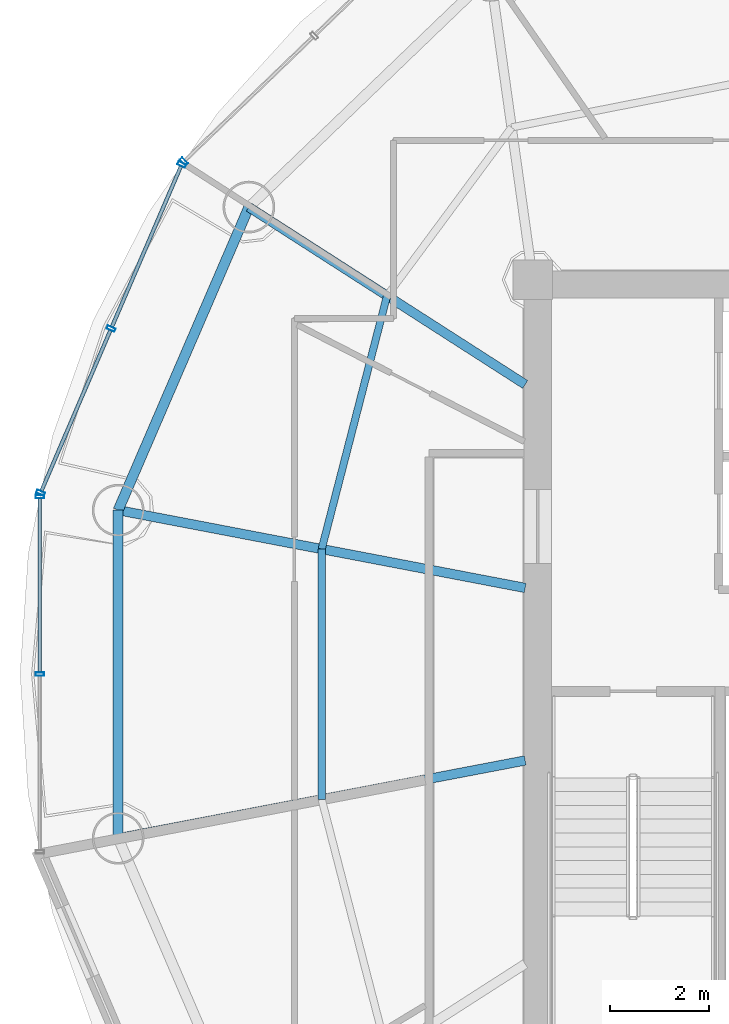
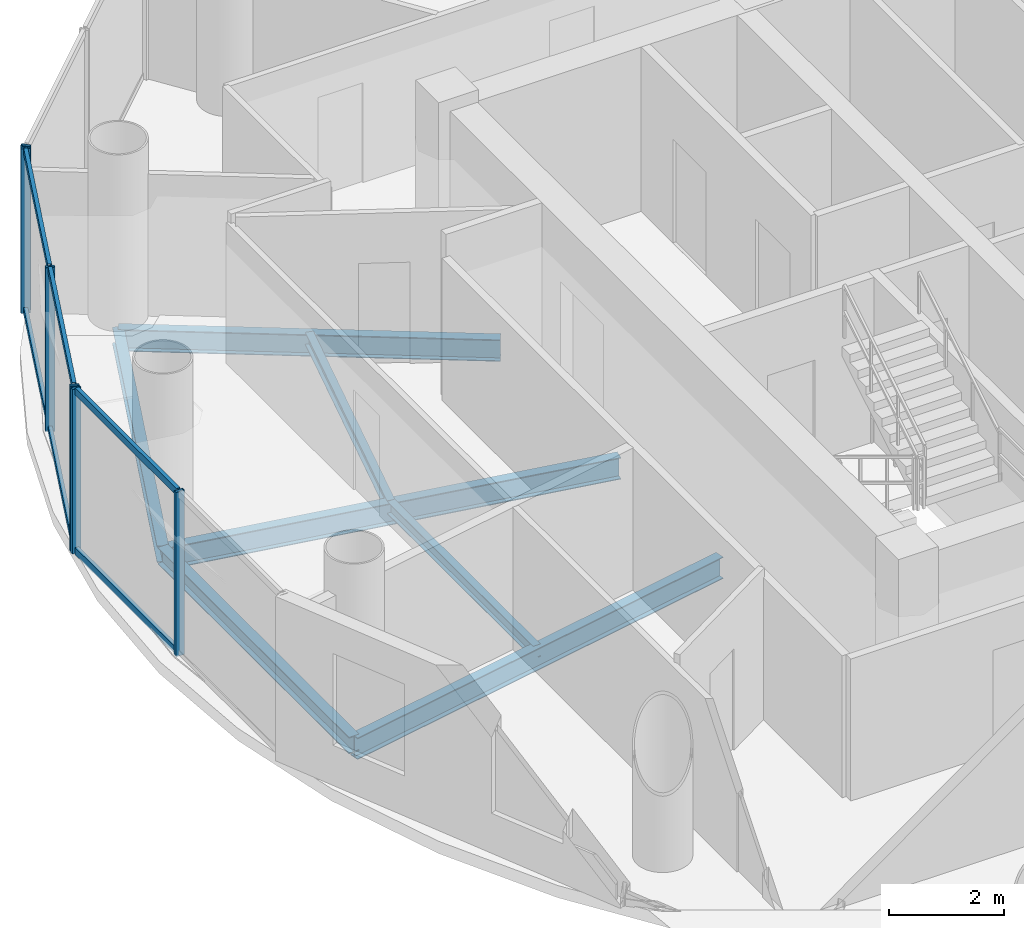
# One storey, part 8 of 23: 12 members, 7 beams, 3 elements without a shape of their own.
"""IFC4 building model written with IfcOpenShell, lengths in metres."""

import ifcopenshell
import ifcopenshell.guid

model = None  # the IFC model being written
_history = None  # IfcOwnerHistory: only IFC2X3 demands one
_inside = {}  # id of a spatial element -> (the spatial element, [elements in it])
_under = {}  # id of a project, library or spatial element -> (it, [spatial elements below it])
_declared = {}  # id of a project -> (the project, [libraries it declares])
_typed = {}  # id of a type object -> (the type object, [elements of that type])
_made_of = {}  # id of a material, layer set ... -> (it, [elements and type objects made of it])


def new_model(schema):
    """Start an empty IFC model of exactly this schema.

    Asked for "IFC4X3", IfcOpenShell would pick the latest addendum, in which some entities
    have other attributes; the version numbers below select the first issue.
    IFC2X3 requires an IfcOwnerHistory on every rooted entity: one is made here for all.
    """
    global model, _history
    if schema == "IFC4X3":
        model = ifcopenshell.file(schema_version=(4, 3, 0, 0))
    else:
        model = ifcopenshell.file(schema=schema)
    _inside.clear()
    _under.clear()
    _declared.clear()
    _typed.clear()
    _made_of.clear()
    _history = None
    if model.schema == "IFC2X3":
        org = make("IfcOrganization", Name="unknown")
        user = make(
            "IfcPersonAndOrganization",
            ThePerson=make("IfcPerson", FamilyName="unknown"),
            TheOrganization=org,
        )
        app = make(
            "IfcApplication",
            ApplicationDeveloper=org,
            Version="unknown",
            ApplicationFullName="unknown",
            ApplicationIdentifier="unknown",
        )
        _history = make(
            "IfcOwnerHistory",
            OwningUser=user,
            OwningApplication=app,
            ChangeAction="ADDED",
            CreationDate=0,
        )
    return model


def make(cls, **values):
    """One entity of the class cls with the attributes given. An attribute that is None is left unset."""
    return model.create_entity(
        cls, **{name: value for name, value in values.items() if value is not None}
    )


def rooted(cls, **values):
    """An entity with a GlobalId (a new one), such as an element, a storey or a relation."""
    return make(cls, GlobalId=ifcopenshell.guid.new(), OwnerHistory=_history, **values)


def si_unit(unit_type, name, prefix=None):
    """IfcSIUnit, for example si_unit("LENGTHUNIT", "METRE", prefix="MILLI")."""
    return make("IfcSIUnit", UnitType=unit_type, Prefix=prefix, Name=name)


def assignment(units):
    """IfcUnitAssignment: the units of a project."""
    return None if units is None else make("IfcUnitAssignment", Units=units)


def point(xyz):
    """IfcCartesianPoint."""
    return None if xyz is None else make("IfcCartesianPoint", Coordinates=xyz)


def direction(xyz):
    """IfcDirection."""
    return None if xyz is None else make("IfcDirection", DirectionRatios=xyz)


def frame(location, z_axis=None, x_axis=None):
    """IfcAxis2Placement3D, a coordinate frame: its origin and axes. An axis left out is left unset."""
    return make(
        "IfcAxis2Placement3D",
        Location=point(location),
        Axis=direction(z_axis),
        RefDirection=direction(x_axis),
    )


def frame_2d(location, x_axis=None):
    """IfcAxis2Placement2D, a coordinate frame in the plane: its origin and x axis."""
    return make(
        "IfcAxis2Placement2D", Location=point(location), RefDirection=direction(x_axis)
    )


def origin():
    """The frame at (0, 0, 0) with its axes left unset."""
    return frame((0.0, 0.0, 0.0))


def origin_2d():
    """The frame at (0, 0) in the plane with its x axis left unset."""
    return frame_2d((0.0, 0.0))


def place(relative_to, where):
    """IfcLocalPlacement: puts the frame where relative to a parent placement (None: the world)."""
    return make(
        "IfcLocalPlacement", PlacementRelTo=relative_to, RelativePlacement=where
    )


def context(
    kind, dimensions, precision=None, world=None, true_north=None, identifier=None
):
    """IfcGeometricRepresentationContext, for example the 3D "Model" context."""
    return make(
        "IfcGeometricRepresentationContext",
        ContextIdentifier=identifier,
        ContextType=kind,
        CoordinateSpaceDimension=dimensions,
        Precision=precision,
        WorldCoordinateSystem=world,
        TrueNorth=true_north,
    )


def subcontext(parent, identifier, kind, view, scale=None):
    """IfcGeometricRepresentationSubContext, for example "Body" below "Model"."""
    return make(
        "IfcGeometricRepresentationSubContext",
        ContextIdentifier=identifier,
        ContextType=kind,
        ParentContext=parent,
        TargetScale=scale,
        TargetView=view,
    )


def project(units=None, contexts=None):
    """IfcProject with its units and contexts."""
    return rooted(
        "IfcProject",
        Name="project",
        RepresentationContexts=contexts,
        UnitsInContext=assignment(units),
    )


def spatial(cls, under=None, at=None, **own):
    """A site, building, storey or space (cls), placed at a placement, below another one or the project."""
    s = rooted(cls, ObjectPlacement=at, **own)
    if under is not None:
        _under.setdefault(under.id(), (under, []))[1].append(s)
    return s


def profile(cls, at=None, kind="AREA", **sizes):
    """A parametric profile (cls). Its sizes go by their IFC names, for example OverallWidth=200.0."""
    return make(cls, ProfileType=kind, Position=at, **sizes)


def hollow_rectangle(**sizes):
    """IfcRectangleHollowProfileDef."""
    return profile("IfcRectangleHollowProfileDef", **sizes)


def i_section(**sizes):
    """IfcIShapeProfileDef."""
    return profile("IfcIShapeProfileDef", **sizes)


def extrude(swept, where, along, depth):
    """IfcExtrudedAreaSolid: the profile swept, set in the frame where, extruded along a direction by depth."""
    return make(
        "IfcExtrudedAreaSolid",
        SweptArea=swept,
        Position=where,
        ExtrudedDirection=direction(along),
        Depth=depth,
    )


def shape(context_of_items, identifier, shape_type, items):
    """IfcShapeRepresentation: the items that make up one representation, for example the "Body"."""
    return make(
        "IfcShapeRepresentation",
        ContextOfItems=context_of_items,
        RepresentationIdentifier=identifier,
        RepresentationType=shape_type,
        Items=items,
    )


def source(mapping_origin, context_of_items, identifier, shape_type, items):
    """IfcRepresentationMap: a shape defined once, which mapped items show again and again."""
    return make(
        "IfcRepresentationMap",
        MappingOrigin=mapping_origin,
        MappedRepresentation=shape(context_of_items, identifier, shape_type, items),
    )


def transform(
    local_origin,
    x_axis=None,
    y_axis=None,
    z_axis=None,
    scale=None,
    scale2=None,
    scale3=None,
    uniform=True,
):
    """IfcCartesianTransformationOperator3D, or its non-uniform kind. x_axis, y_axis, z_axis: its Axis1, 2, 3."""
    if uniform:
        return make(
            "IfcCartesianTransformationOperator3D",
            Axis1=direction(x_axis),
            Axis2=direction(y_axis),
            LocalOrigin=point(local_origin),
            Scale=scale,
            Axis3=direction(z_axis),
        )
    return make(
        "IfcCartesianTransformationOperator3DnonUniform",
        Axis1=direction(x_axis),
        Axis2=direction(y_axis),
        LocalOrigin=point(local_origin),
        Scale=scale,
        Axis3=direction(z_axis),
        Scale2=scale2,
        Scale3=scale3,
    )


def mapped(mapping_source, mapping_target):
    """IfcMappedItem: shows the shape of a source again, moved by a transform."""
    return make(
        "IfcMappedItem", MappingSource=mapping_source, MappingTarget=mapping_target
    )


def material(Name=None, Category=None):
    """IfcMaterial."""
    return make("IfcMaterial", Name=Name, Category=Category)


def material_profile(
    of_material, cross_section, Name=None, Category=None, Priority=None
):
    """IfcMaterialProfile: a cross section and its material."""
    return make(
        "IfcMaterialProfile",
        Name=Name,
        Material=of_material,
        Profile=cross_section,
        Priority=Priority,
        Category=Category,
    )


def profile_set(profiles, Name=None, composite=None):
    """IfcMaterialProfileSet."""
    return make(
        "IfcMaterialProfileSet",
        Name=Name,
        MaterialProfiles=profiles,
        CompositeProfile=composite,
    )


def made_of(thing, what):
    """Note that an element or type object is made of a material, layer set ...; save() writes the relation."""
    if what is not None:
        _made_of.setdefault(what.id(), (what, []))[1].append(thing)
    return thing


def type_object(cls, material=None, **own):
    """A type object (cls), such as IfcWallType, which elements share."""
    return made_of(rooted(cls, **own), material)


def element(
    cls,
    number,
    at=None,
    inside=None,
    cuts=None,
    type_object=None,
    material=None,
    context=None,
    identifier="Body",
    shape_type=None,
    held_by="IfcProductDefinitionShape",
    body=None,
    shapes=None,
    **own,
):
    """One element of the class cls, such as IfcWall. Its Tag is "e" and its number.

    at: its placement. inside: the storey or other place that contains it. cuts: it is an
    opening in that element (IfcRelVoidsElement). A single representation is given by context,
    identifier, shape_type and body (its items); several are given by shapes. held_by: the class
    of the entity that holds the representations. save() writes the other relations.
    """
    e = rooted(cls, Tag="e%d" % number, ObjectPlacement=at, **own)
    if body is not None:
        shapes = [shape(context, identifier, shape_type, body)]
    if shapes is not None:
        e.Representation = make(held_by, Representations=shapes)
    if inside is not None:
        _inside.setdefault(inside.id(), (inside, []))[1].append(e)
    if cuts is not None:
        rooted(
            "IfcRelVoidsElement", RelatingBuildingElement=cuts, RelatedOpeningElement=e
        )
    if type_object is not None:
        _typed.setdefault(type_object.id(), (type_object, []))[1].append(e)
    return made_of(e, material)


def aggregate(whole, parts):
    """IfcRelAggregates: a whole, such as a stair, and the parts it consists of."""
    return rooted("IfcRelAggregates", RelatingObject=whole, RelatedObjects=parts)


def save(model, path):
    """Write the relations noted so far, then the file.

    IfcRelAggregates (storeys below a building ...), IfcRelContainedInSpatialStructure (elements
    in a storey), IfcRelDefinesByType, IfcRelAssociatesMaterial and IfcRelDeclares: one each for
    every whole, place, type object, material and project.
    """
    for whole, parts in _under.values():
        aggregate(whole, parts)
    for where, things in _inside.values():
        rooted(
            "IfcRelContainedInSpatialStructure",
            RelatedElements=things,
            RelatingStructure=where,
        )
    for kind, things in _typed.values():
        rooted("IfcRelDefinesByType", RelatedObjects=things, RelatingType=kind)
    for what, things in _made_of.values():
        rooted("IfcRelAssociatesMaterial", RelatedObjects=things, RelatingMaterial=what)
    for by, libraries in _declared.values():
        rooted("IfcRelDeclares", RelatingContext=by, RelatedDefinitions=libraries)
    model.write(path)


model = new_model("IFC4")

# Units and contexts
model_context = context("Model", 3, precision=1e-05, world=origin(), true_north=direction((-0.2419218956, 0.970295726276)))
body_context = subcontext(model_context, "Body", "Model", "MODEL_VIEW")
ifc_project = project(units=[si_unit("LENGTHUNIT", "METRE"), si_unit("AREAUNIT", "SQUARE_METRE"), si_unit("VOLUMEUNIT", "CUBIC_METRE"), si_unit("PLANEANGLEUNIT", "RADIAN"), si_unit("MASSUNIT", "GRAM", prefix="KILO")], contexts=[model_context])

# Site, building, storey
site_placement = place(None, origin())
site = spatial("IfcSite", under=ifc_project, at=site_placement, CompositionType="ELEMENT")
building_placement = place(site_placement, origin())
building = spatial("IfcBuilding", under=site, at=building_placement, Name="Cobrevalo Terracotta Tower", CompositionType="ELEMENT")
storey_placement = place(building_placement, frame((0.0, 0.0, 255.699951171875)))
storey = spatial("IfcBuildingStorey", under=building, at=storey_placement, Name="L67", CompositionType="ELEMENT", Elevation=255.699951171875)

# Beams
ifc_material_1 = material(Name="Steel S355", Category="steel")
ifc_material_profile_1 = material_profile(ifc_material_1, i_section(OverallWidth=0.19091796875, OverallDepth=0.4599609375, WebThickness=0.010009765625, FlangeThickness=0.01611328125, at=origin_2d()), Name="W 460x82")
ifc_profile_set_1 = profile_set([ifc_material_profile_1], Name="Steel S355")
beam_type_1 = type_object("IfcBeamType", Name="Structural Beam W 460x82 (Steel S355)", PredefinedType="BEAM", material=ifc_profile_set_1)
beam_1_placement = place(storey_placement, frame((23.241455078125, 36.2724609375, -0.489990234375), z_axis=(0.84157615512, -0.540138477739, 0.0), x_axis=(0.540138477739, 0.84157615512, 0.0)))
element("IfcBeam", 1, at=beam_1_placement, inside=storey, type_object=beam_type_1, Name="L67 radial floor girder 07", PredefinedType="BEAM", context=body_context, shape_type="SweptSolid", body=[
    extrude(i_section(OverallWidth=0.19091796875, OverallDepth=0.4599609375, WebThickness=0.010009765625, FlangeThickness=0.01611328125, at=origin_2d()), origin(), (0.0, 0.0, 1.0), 6.658447265625),
])
beam_2_placement = place(storey_placement, frame((20.591064453125, 30.126220703125, -0.489990234375), z_axis=(0.982234917636, -0.187655446433, 0.0), x_axis=(0.187655446433, 0.982234917636, 0.0)))
element("IfcBeam", 2, at=beam_2_placement, inside=storey, type_object=beam_type_1, Name="L67 radial floor girder 08", PredefinedType="BEAM", context=body_context, shape_type="SweptSolid", body=[
    extrude(i_section(OverallWidth=0.19091796875, OverallDepth=0.4599609375, WebThickness=0.010009765625, FlangeThickness=0.01611328125, at=origin_2d()), origin(), (0.0, 0.0, 1.0), 8.403076171875),
])
beam_3_placement = place(storey_placement, frame((20.591064453125, 23.4736328125, -0.489990234375), z_axis=(0.982229562106, 0.187683476432, 0.0), x_axis=(-0.187683476432, 0.982229562106, 0.0)))
element("IfcBeam", 3, at=beam_3_placement, inside=storey, type_object=beam_type_1, Name="L67 radial floor girder 09", PredefinedType="BEAM", context=body_context, shape_type="SweptSolid", body=[
    extrude(i_section(OverallWidth=0.19091796875, OverallDepth=0.4599609375, WebThickness=0.010009765625, FlangeThickness=0.01611328125, at=origin_2d()), origin(), (0.0, 0.0, 1.0), 8.4033203125),
])
ifc_material_profile_2 = material_profile(ifc_material_1, i_section(OverallWidth=0.14794921875, OverallDepth=0.26611328125, WebThickness=0.007568359375, FlangeThickness=0.012939453125, at=origin_2d()), Name="W 250x44.8")
ifc_profile_set_2 = profile_set([ifc_material_profile_2], Name="Steel S355")
beam_type_2 = type_object("IfcBeamType", Name="Structural Joist W 250x44.8 (Steel S355)", PredefinedType="JOIST", material=ifc_profile_set_2)
beam_4_placement = place(storey_placement, frame((26.043212890625, 34.47412109375, -0.39306640625), z_axis=(-0.249816773293, -0.968293126993, 0.0), x_axis=(0.968293126993, -0.249816773293, 0.0)))
element("IfcBeam", 4, at=beam_4_placement, inside=storey, type_object=beam_type_2, Name="L67 circumferential secondary floor joist 07", PredefinedType="JOIST", context=body_context, shape_type="SweptSolid", body=[
    extrude(i_section(OverallWidth=0.14794921875, OverallDepth=0.26611328125, WebThickness=0.007568359375, FlangeThickness=0.012939453125, at=origin_2d()), origin(), (0.0, 0.0, 1.0), 5.3046875),
])
beam_5_placement = place(storey_placement, frame((24.718017578125, 29.337646484375, -0.39306640625), z_axis=(0.0, -1.0, 0.0), x_axis=(1.0, 0.0, 0.0)))
element("IfcBeam", 5, at=beam_5_placement, inside=storey, type_object=beam_type_2, Name="L67 circumferential secondary floor joist 08", PredefinedType="JOIST", context=body_context, shape_type="SweptSolid", body=[
    extrude(i_section(OverallWidth=0.14794921875, OverallDepth=0.26611328125, WebThickness=0.007568359375, FlangeThickness=0.012939453125, at=origin_2d()), origin(), (0.0, 0.0, 1.0), 5.075439453125),
])
ifc_material_profile_3 = material_profile(ifc_material_1, i_section(OverallWidth=0.205078125, OverallDepth=0.35400390625, WebThickness=0.009521484375, FlangeThickness=0.016845703125, at=origin_2d()), Name="W 360x79")
ifc_profile_set_3 = profile_set([ifc_material_profile_3], Name="Steel S355")
beam_type_3 = type_object("IfcBeamType", Name="Structural Spandrel W 360x79 (Steel S355)", PredefinedType="SPANDREL", material=ifc_profile_set_3)
beam_6_placement = place(storey_placement, frame((23.241455078125, 36.2724609375, -0.43701171875), z_axis=(-0.395974127655, -0.918261667624, 0.0), x_axis=(0.918261667624, -0.395974127655, 0.0)))
element("IfcBeam", 6, at=beam_6_placement, inside=storey, type_object=beam_type_3, Name="L67 perimeter ring spandrel 07", PredefinedType="SPANDREL", context=body_context, shape_type="SweptSolid", body=[
    extrude(i_section(OverallWidth=0.205078125, OverallDepth=0.35400390625, WebThickness=0.009521484375, FlangeThickness=0.016845703125, at=origin_2d()), origin(), (0.0, 0.0, 1.0), 6.693359375),
])
beam_7_placement = place(storey_placement, frame((20.591064453125, 30.126220703125, -0.43701171875), z_axis=(0.0, -1.0, 0.0), x_axis=(1.0, 0.0, 0.0)))
element("IfcBeam", 7, at=beam_7_placement, inside=storey, type_object=beam_type_3, Name="L67 perimeter ring spandrel 08", PredefinedType="SPANDREL", context=body_context, shape_type="SweptSolid", body=[
    extrude(i_section(OverallWidth=0.205078125, OverallDepth=0.35400390625, WebThickness=0.009521484375, FlangeThickness=0.016845703125, at=origin_2d()), origin(), (0.0, 0.0, 1.0), 6.652587890625),
])

# Curtain wall, member
ifc_material_2 = material(Name="Anodized aluminium", Category="aluminium")
curtain_wall_type = type_object("IfcCurtainWallType", Name="Upper-tower triple-glazed penthouse curtain wall CW-U3", PredefinedType="NOTDEFINED", material=ifc_material_2)
curtain_wall_1_placement = place(storey_placement, origin())
curtain_wall_1 = element("IfcCurtainWall", 8, at=curtain_wall_1_placement, inside=storey, type_object=curtain_wall_type, Name="L67 curtain wall CW-L67-S06", PredefinedType="NOTDEFINED")
ifc_material_profile_4 = material_profile(ifc_material_2, hollow_rectangle(XDim=0.070068359375, YDim=0.169921875, WallThickness=0.00439453125, at=origin_2d()), Name="CWM 70x170")
ifc_profile_set_4 = profile_set([ifc_material_profile_4], Name="Anodized aluminium")
member_type_1 = type_object("IfcMemberType", Name="Upper tower unitised mullion 70x170", PredefinedType="MULLION", material=ifc_profile_set_4)
shared_shape_1 = source(origin(), body_context, "Body", "SweptSolid", [
    extrude(hollow_rectangle(XDim=0.070068359375, YDim=0.169921875, WallThickness=0.00439453125, at=origin_2d()), origin(), (0.0, 0.0, 1.0), 3.489990234375),
])
member_1_placement = place(storey_placement, frame((21.92333984375, 37.2001953125, 0.0), z_axis=(0.0, 0.0, 1.0), x_axis=(-0.71999418085, -0.69398010025, 0.0)))
member_1 = element("IfcMember", 9, at=member_1_placement, type_object=member_type_1, Name="CW-L67-S06 vertical mullion 03", PredefinedType="MULLION", context=body_context, shape_type="MappedRepresentation", body=[
    mapped(shared_shape_1, transform((0.0, 0.0, 0.0), scale=1.0)),
])
aggregate(curtain_wall_1, [member_1])

# Curtain wall, members
curtain_wall_2_placement = place(storey_placement, origin())
curtain_wall_2 = element("IfcCurtainWall", 10, at=curtain_wall_2_placement, inside=storey, type_object=curtain_wall_type, Name="L67 curtain wall CW-L67-S07", PredefinedType="NOTDEFINED")
member_2_placement = place(storey_placement, frame((21.878662109375, 37.1357421875, 0.0), z_axis=(0.0, 0.0, 1.0), x_axis=(-0.39482403454, -0.91875675875, 0.0)))
member_2 = element("IfcMember", 11, at=member_2_placement, type_object=member_type_1, Name="CW-L67-S07 vertical mullion 01", PredefinedType="MULLION", context=body_context, shape_type="MappedRepresentation", body=[
    mapped(shared_shape_1, transform((0.0, 0.0, 0.0), scale=1.0)),
])
member_3_placement = place(storey_placement, frame((20.4482421875, 33.807373046875, 0.0), z_axis=(0.0, 0.0, 1.0), x_axis=(-0.39482403454, -0.91875675875, 0.0)))
member_3 = element("IfcMember", 12, at=member_3_placement, type_object=member_type_1, Name="CW-L67-S07 vertical mullion 02", PredefinedType="MULLION", context=body_context, shape_type="MappedRepresentation", body=[
    mapped(shared_shape_1, transform((0.0, 0.0, 0.0), scale=1.0)),
])
member_4_placement = place(storey_placement, frame((19.01806640625, 30.47900390625, 0.0), z_axis=(0.0, 0.0, 1.0), x_axis=(-0.39482403454, -0.91875675875, 0.0)))
member_4 = element("IfcMember", 13, at=member_4_placement, type_object=member_type_1, Name="CW-L67-S07 vertical mullion 03", PredefinedType="MULLION", context=body_context, shape_type="MappedRepresentation", body=[
    mapped(shared_shape_1, transform((0.0, 0.0, 0.0), scale=1.0)),
])

curtain_wall_3_placement = place(storey_placement, origin())
curtain_wall_3 = element("IfcCurtainWall", 14, at=curtain_wall_3_placement, inside=storey, type_object=curtain_wall_type, Name="L67 curtain wall CW-L67-S08", PredefinedType="NOTDEFINED")
member_5_placement = place(storey_placement, frame((19.002197265625, 30.40234375, 0.0), z_axis=(0.0, 0.0, 1.0), x_axis=(0.0, -1.0, 0.0)))
member_5 = element("IfcMember", 15, at=member_5_placement, type_object=member_type_1, Name="CW-L67-S08 vertical mullion 01", PredefinedType="MULLION", context=body_context, shape_type="MappedRepresentation", body=[
    mapped(shared_shape_1, transform((0.0, 0.0, 0.0), scale=1.0)),
])
member_6_placement = place(storey_placement, frame((19.002197265625, 26.800048828125, 0.0), z_axis=(0.0, 0.0, 1.0), x_axis=(0.0, -1.0, 0.0)))
member_6 = element("IfcMember", 16, at=member_6_placement, type_object=member_type_1, Name="CW-L67-S08 vertical mullion 02", PredefinedType="MULLION", context=body_context, shape_type="MappedRepresentation", body=[
    mapped(shared_shape_1, transform((0.0, 0.0, 0.0), scale=1.0)),
])

# Member
ifc_material_profile_5 = material_profile(ifc_material_2, hollow_rectangle(XDim=0.074951171875, YDim=0.14990234375, WallThickness=0.00439453125, at=origin_2d()), Name="CWT 75x150")
ifc_profile_set_5 = profile_set([ifc_material_profile_5], Name="Anodized aluminium")
member_type_2 = type_object("IfcMemberType", Name="Tower unitised aluminium transom 75x150", PredefinedType="USERDEFINED", material=ifc_profile_set_5)
shared_shape_2 = source(origin(), body_context, "Body", "SweptSolid", [
    extrude(hollow_rectangle(XDim=0.074951171875, YDim=0.14990234375, WallThickness=0.00439453125, at=origin_2d()), origin(), (0.0, 0.0, 1.0), 3.54248046875),
])
member_7_placement = place(storey_placement, frame((21.86279296875, 37.098876953125, 0.050048828125), z_axis=(-0.394834055841, -0.918752452159, 0.0), x_axis=(0.918752452159, -0.394834055841, 0.0)))
member_7 = element("IfcMember", 17, at=member_7_placement, type_object=member_type_2, Name="CW-L67-S07 transom B01-T1", ObjectType="TRANSOM", PredefinedType="USERDEFINED", context=body_context, shape_type="MappedRepresentation", body=[
    mapped(shared_shape_2, transform((0.0, 0.0, 0.0), scale=1.0)),
])

member_8_placement = place(storey_placement, frame((21.86279296875, 37.098876953125, 3.43994140625), z_axis=(-0.394834055841, -0.918752452159, 0.0), x_axis=(0.918752452159, -0.394834055841, 0.0)))
member_8 = element("IfcMember", 18, at=member_8_placement, type_object=member_type_2, Name="CW-L67-S07 transom B01-T2", ObjectType="TRANSOM", PredefinedType="USERDEFINED", context=body_context, shape_type="MappedRepresentation", body=[
    mapped(shared_shape_2, transform((0.0, 0.0, 0.0), scale=1.0)),
])

shared_shape_3 = source(origin(), body_context, "Body", "SweptSolid", [
    extrude(hollow_rectangle(XDim=0.074951171875, YDim=0.14990234375, WallThickness=0.00439453125, at=origin_2d()), origin(), (0.0, 0.0, 1.0), 3.542724609375),
])
member_9_placement = place(storey_placement, frame((20.4326171875, 33.770751953125, 0.050048828125), z_axis=(-0.394867226589, -0.918738196314, 0.0), x_axis=(0.918738196314, -0.394867226589, 0.0)))
member_9 = element("IfcMember", 19, at=member_9_placement, type_object=member_type_2, Name="CW-L67-S07 transom B02-T1", ObjectType="TRANSOM", PredefinedType="USERDEFINED", context=body_context, shape_type="MappedRepresentation", body=[
    mapped(shared_shape_3, transform((0.0, 0.0, 0.0), scale=1.0)),
])

member_10_placement = place(storey_placement, frame((20.4326171875, 33.770751953125, 3.43994140625), z_axis=(-0.394867226589, -0.918738196314, 0.0), x_axis=(0.918738196314, -0.394867226589, 0.0)))
member_10 = element("IfcMember", 20, at=member_10_placement, type_object=member_type_2, Name="CW-L67-S07 transom B02-T2", ObjectType="TRANSOM", PredefinedType="USERDEFINED", context=body_context, shape_type="MappedRepresentation", body=[
    mapped(shared_shape_3, transform((0.0, 0.0, 0.0), scale=1.0)),
])

aggregate(curtain_wall_2, [member_2, member_3, member_4, member_7, member_8, member_9, member_10])

shared_shape_4 = source(origin(), body_context, "Body", "SweptSolid", [
    extrude(hollow_rectangle(XDim=0.074951171875, YDim=0.14990234375, WallThickness=0.00439453125, at=origin_2d()), origin(), (0.0, 0.0, 1.0), 3.522216796875),
])
member_11_placement = place(storey_placement, frame((19.002197265625, 30.3623046875, 0.050048828125), z_axis=(0.0, -1.0, 0.0), x_axis=(1.0, 0.0, 0.0)))
member_11 = element("IfcMember", 21, at=member_11_placement, type_object=member_type_2, Name="CW-L67-S08 transom B01-T1", ObjectType="TRANSOM", PredefinedType="USERDEFINED", context=body_context, shape_type="MappedRepresentation", body=[
    mapped(shared_shape_4, transform((0.0, 0.0, 0.0), scale=1.0)),
])

member_12_placement = place(storey_placement, frame((19.002197265625, 30.3623046875, 3.43994140625), z_axis=(0.0, -1.0, 0.0), x_axis=(1.0, 0.0, 0.0)))
member_12 = element("IfcMember", 22, at=member_12_placement, type_object=member_type_2, Name="CW-L67-S08 transom B01-T2", ObjectType="TRANSOM", PredefinedType="USERDEFINED", context=body_context, shape_type="MappedRepresentation", body=[
    mapped(shared_shape_4, transform((0.0, 0.0, 0.0), scale=1.0)),
])

aggregate(curtain_wall_3, [member_5, member_6, member_11, member_12])

save(model, "model.ifc")
